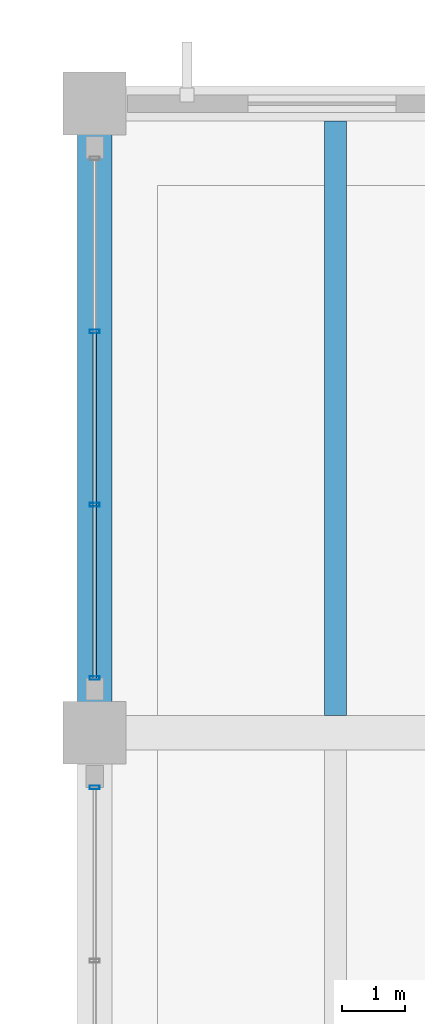
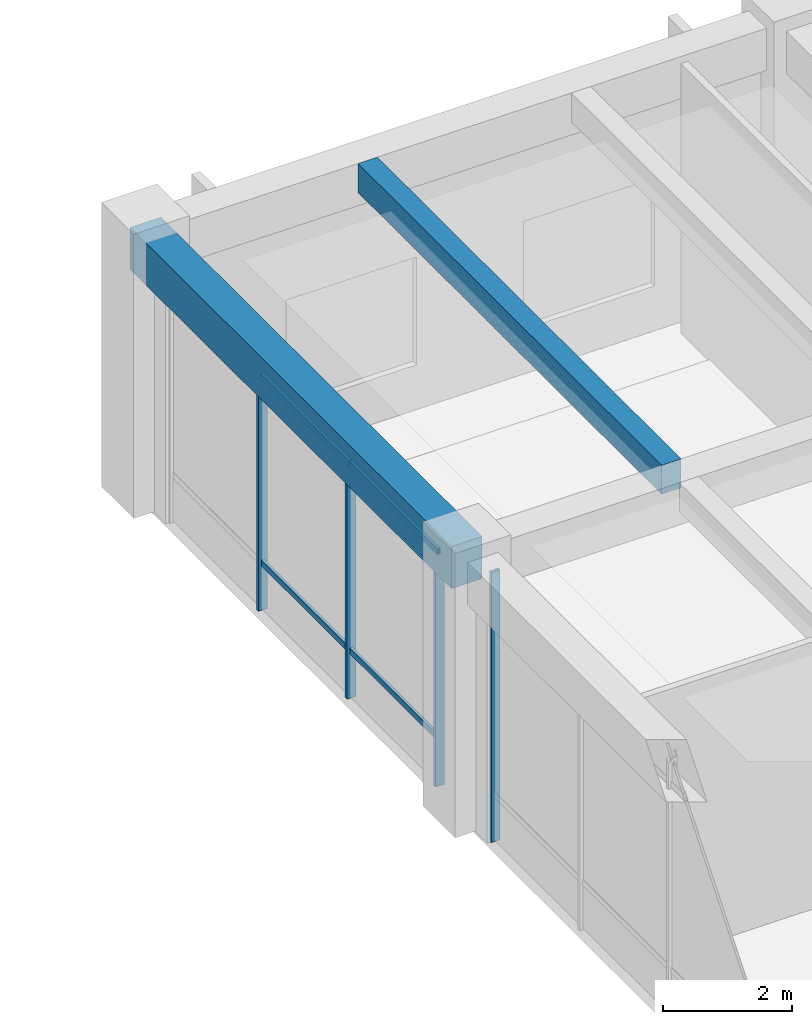
# One storey, part 81 of 148: 8 members, 2 beams, 2 elements without a shape of their own.
"""IFC4 building model written with IfcOpenShell, lengths in metres."""

from ifc_helpers import new_model, si_unit, direction, frame, origin, origin_2d, place, context, subcontext, project, spatial, rectangle, hollow_rectangle, extrude, material, material_profile, profile_set, type_object, element, aggregate, save


model = new_model("IFC4")

# Units and contexts
model_context = context("Model", 3, precision=1e-05, world=origin(), true_north=direction((0.0, 1.0)))
body_context = subcontext(model_context, "Body", "Model", "MODEL_VIEW")
ifc_project = project(units=[si_unit("LENGTHUNIT", "METRE"), si_unit("AREAUNIT", "SQUARE_METRE"), si_unit("VOLUMEUNIT", "CUBIC_METRE"), si_unit("PLANEANGLEUNIT", "RADIAN"), si_unit("MASSUNIT", "GRAM", prefix="KILO")], contexts=[model_context])

# Site, building, storey
site_placement = place(None, origin())
site = spatial("IfcSite", under=ifc_project, at=site_placement, CompositionType="ELEMENT")
building_placement = place(site_placement, origin())
building = spatial("IfcBuilding", under=site, at=building_placement, Name="Ologun Quay Terminus", CompositionType="ELEMENT")
storey_placement = place(building_placement, frame((0.0, 0.0, 8.39990234375)))
storey = spatial("IfcBuildingStorey", under=building, at=storey_placement, Name="L02", CompositionType="ELEMENT", Elevation=8.39990234375)

# Curtain wall, member
ifc_material_1 = material(Name="Aluminium 6063-T6", Category="aluminium")
curtain_wall_type = type_object("IfcCurtainWallType", Name="Rain-Garden East Courtyard Curtain Wall L02 9200x5000", PredefinedType="USERDEFINED", material=ifc_material_1)
curtain_wall_1_placement = place(storey_placement, origin())
curtain_wall_1 = element("IfcCurtainWall", 1, at=curtain_wall_1_placement, inside=storey, type_object=curtain_wall_type, Name="CW-19 Curtain Wall CW-L02-136", ObjectType="UNITISED CURTAIN WALL", PredefinedType="USERDEFINED")
ifc_material_2 = material(Name="Aluminium 6063-T6", Category="aluminium")
ifc_material_profile_1 = material_profile(ifc_material_2, hollow_rectangle(XDim=0.06005859375, YDim=0.159912109375, WallThickness=0.00390625, at=origin_2d()), Name="ALU 160x60x4")
ifc_profile_set_1 = profile_set([ifc_material_profile_1], Name="Aluminium 6063-T6")
member_type_1 = type_object("IfcMemberType", Name="Courtyard Screen Mullion 160x65", PredefinedType="MULLION", material=ifc_profile_set_1)
member_1_placement = place(storey_placement, frame((115.0, 103.929931640625, 0.0), z_axis=(0.0, 0.0, 1.0), x_axis=(0.0, 1.0, 0.0)))
member_1 = element("IfcMember", 2, at=member_1_placement, type_object=member_type_1, Name="CW-L02-136 Mullion 4", PredefinedType="MULLION", context=body_context, shape_type="SweptSolid", body=[
    extrude(hollow_rectangle(XDim=0.06005859375, YDim=0.159912109375, WallThickness=0.00390625, at=origin_2d()), origin(), (0.0, 0.0, 1.0), 5.130126953125),
])
aggregate(curtain_wall_1, [member_1])

# Curtain wall, members
curtain_wall_2_placement = place(storey_placement, origin())
curtain_wall_2 = element("IfcCurtainWall", 3, at=curtain_wall_2_placement, inside=storey, type_object=curtain_wall_type, Name="CW-19 Curtain Wall CW-L02-137", ObjectType="UNITISED CURTAIN WALL", PredefinedType="USERDEFINED")
member_2_placement = place(storey_placement, frame((115.0, 105.669921875, 0.0), z_axis=(0.0, 0.0, 1.0), x_axis=(0.0, 1.0, 0.0)))
member_2 = element("IfcMember", 4, at=member_2_placement, type_object=member_type_1, Name="CW-L02-137 Mullion 1", PredefinedType="MULLION", context=body_context, shape_type="SweptSolid", body=[
    extrude(hollow_rectangle(XDim=0.06005859375, YDim=0.159912109375, WallThickness=0.00390625, at=origin_2d()), origin(), (0.0, 0.0, 1.0), 5.130126953125),
])
member_3_placement = place(storey_placement, frame((115.0, 108.42333984375, 0.0), z_axis=(0.0, 0.0, 1.0), x_axis=(0.0, 1.0, 0.0)))
member_3 = element("IfcMember", 5, at=member_3_placement, type_object=member_type_1, Name="CW-L02-137 Mullion 2", PredefinedType="MULLION", context=body_context, shape_type="SweptSolid", body=[
    extrude(hollow_rectangle(XDim=0.06005859375, YDim=0.159912109375, WallThickness=0.00390625, at=origin_2d()), origin(), (0.0, 0.0, 1.0), 5.130126953125),
])
member_4_placement = place(storey_placement, frame((115.0, 111.1767578125, 0.0), z_axis=(0.0, 0.0, 1.0), x_axis=(0.0, 1.0, 0.0)))
member_4 = element("IfcMember", 6, at=member_4_placement, type_object=member_type_1, Name="CW-L02-137 Mullion 3", PredefinedType="MULLION", context=body_context, shape_type="SweptSolid", body=[
    extrude(hollow_rectangle(XDim=0.06005859375, YDim=0.159912109375, WallThickness=0.00390625, at=origin_2d()), origin(), (0.0, 0.0, 1.0), 5.130126953125),
])
ifc_material_3 = material(Name="Aluminium 6063-T6", Category="aluminium")
ifc_material_profile_2 = material_profile(ifc_material_3, hollow_rectangle(XDim=0.054931640625, YDim=0.110107421875, WallThickness=0.00390625, at=origin_2d()), Name="ALU 110x55x4")
ifc_profile_set_2 = profile_set([ifc_material_profile_2], Name="Aluminium 6063-T6")
member_type_2 = type_object("IfcMemberType", Name="Courtyard Screen Transom 110x55", PredefinedType="USERDEFINED", material=ifc_profile_set_2)
member_5_placement = place(storey_placement, frame((115.0, 105.669921875, 0.900146484375), z_axis=(0.0, 1.0, 0.0), x_axis=(-1.0, 0.0, 0.0)))
member_5 = element("IfcMember", 7, at=member_5_placement, type_object=member_type_2, Name="CW-L02-137 Transom B1-1", ObjectType="TRANSOM", PredefinedType="USERDEFINED", context=body_context, shape_type="SweptSolid", body=[
    extrude(hollow_rectangle(XDim=0.054931640625, YDim=0.110107421875, WallThickness=0.00390625, at=origin_2d()), origin(), (0.0, 0.0, 1.0), 2.75341796875),
])
member_6_placement = place(storey_placement, frame((115.0, 105.669921875, 4.43017578125), z_axis=(0.0, 1.0, 0.0), x_axis=(-1.0, 0.0, 0.0)))
member_6 = element("IfcMember", 8, at=member_6_placement, type_object=member_type_2, Name="CW-L02-137 Transom B1-2", ObjectType="TRANSOM", PredefinedType="USERDEFINED", context=body_context, shape_type="SweptSolid", body=[
    extrude(hollow_rectangle(XDim=0.054931640625, YDim=0.110107421875, WallThickness=0.00390625, at=origin_2d()), origin(), (0.0, 0.0, 1.0), 2.75341796875),
])
member_7_placement = place(storey_placement, frame((115.0, 108.42333984375, 0.900146484375), z_axis=(0.0, 1.0, 0.0), x_axis=(-1.0, 0.0, 0.0)))
member_7 = element("IfcMember", 9, at=member_7_placement, type_object=member_type_2, Name="CW-L02-137 Transom B2-1", ObjectType="TRANSOM", PredefinedType="USERDEFINED", context=body_context, shape_type="SweptSolid", body=[
    extrude(hollow_rectangle(XDim=0.054931640625, YDim=0.110107421875, WallThickness=0.00390625, at=origin_2d()), origin(), (0.0, 0.0, 1.0), 2.75341796875),
])
member_8_placement = place(storey_placement, frame((115.0, 108.42333984375, 4.43017578125), z_axis=(0.0, 1.0, 0.0), x_axis=(-1.0, 0.0, 0.0)))
member_8 = element("IfcMember", 10, at=member_8_placement, type_object=member_type_2, Name="CW-L02-137 Transom B2-2", ObjectType="TRANSOM", PredefinedType="USERDEFINED", context=body_context, shape_type="SweptSolid", body=[
    extrude(hollow_rectangle(XDim=0.054931640625, YDim=0.110107421875, WallThickness=0.00390625, at=origin_2d()), origin(), (0.0, 0.0, 1.0), 2.75341796875),
])
aggregate(curtain_wall_2, [member_2, member_3, member_4, member_5, member_6, member_7, member_8])

# Beams
ifc_material_4 = material(Name="Concrete C40/50", Category="concrete")
ifc_material_profile_3 = material_profile(ifc_material_4, rectangle(XDim=0.550048828125, YDim=0.800048828125, at=origin_2d()), Name="RC 550x800")
ifc_profile_set_3 = profile_set([ifc_material_profile_3], Name="Concrete C40/50")
beam_type_1 = type_object("IfcBeamType", Name="Courtyard Wing Primary Girder 550x800", PredefinedType="BEAM", material=ifc_profile_set_3)
beam_1_placement = place(storey_placement, frame((115.0, 104.800048828125, 4.75), z_axis=(0.0, 1.0, 0.0), x_axis=(-1.0, 0.0, 0.0)))
element("IfcBeam", 11, at=beam_1_placement, inside=storey, type_object=beam_type_1, Name="B4 Beam 11/J L02", PredefinedType="BEAM", context=body_context, shape_type="SweptSolid", body=[
    extrude(rectangle(XDim=0.550048828125, YDim=0.800048828125, at=origin_2d()), origin(), (0.0, 0.0, 1.0), 10.0),
])
ifc_material_5 = material(Name="Concrete C40/50", Category="concrete")
ifc_material_profile_4 = material_profile(ifc_material_5, rectangle(XDim=0.35009765625, YDim=0.550048828125, at=origin_2d()), Name="RC 350x550")
ifc_profile_set_4 = profile_set([ifc_material_profile_4], Name="Concrete C40/50")
beam_type_2 = type_object("IfcBeamType", Name="Courtyard Wing Secondary Joist 350x550", PredefinedType="JOIST", material=ifc_profile_set_4)
beam_2_placement = place(storey_placement, frame((118.833251953125, 105.074951171875, 4.875), z_axis=(0.0, 1.0, 0.0), x_axis=(-1.0, 0.0, 0.0)))
element("IfcBeam", 12, at=beam_2_placement, inside=storey, type_object=beam_type_2, Name="J2 Beam 11/J L02", PredefinedType="JOIST", context=body_context, shape_type="SweptSolid", body=[
    extrude(rectangle(XDim=0.35009765625, YDim=0.550048828125, at=origin_2d()), origin(), (0.0, 0.0, 1.0), 9.449951171875),
])

save(model, "model.ifc")
